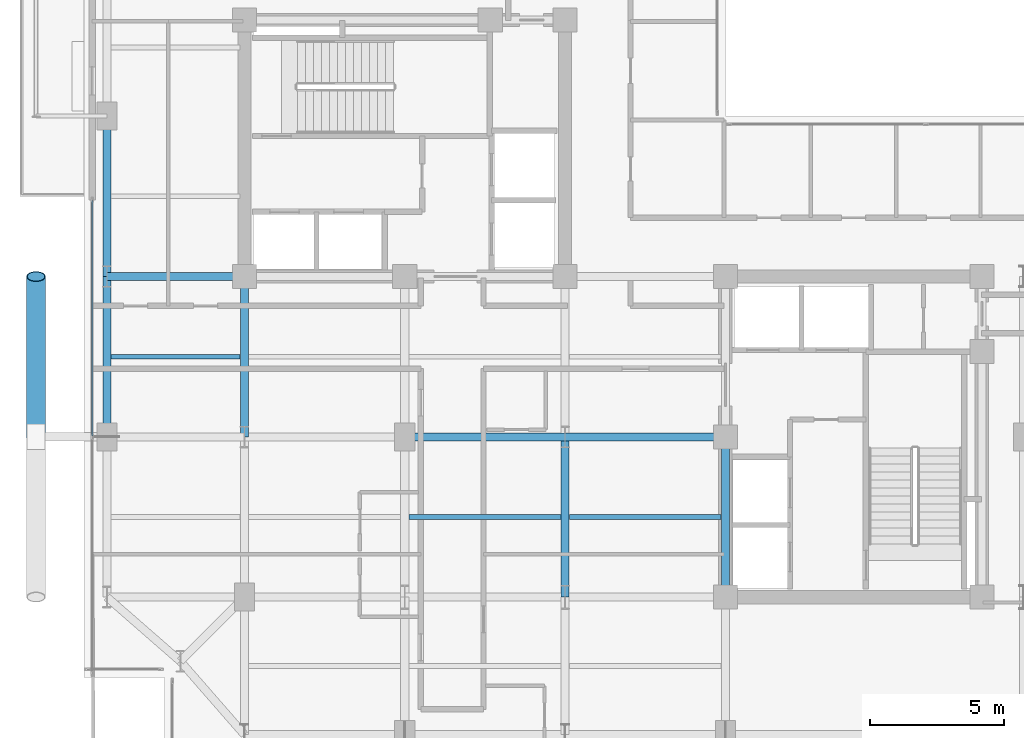
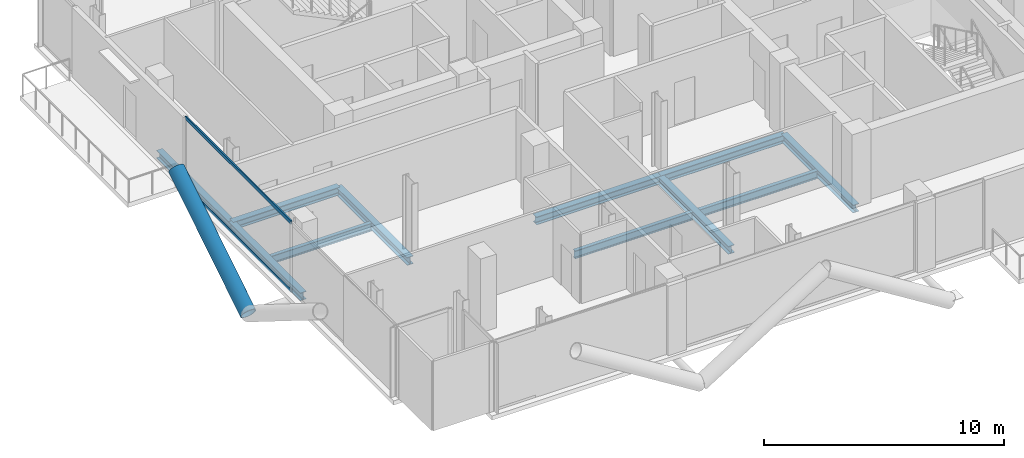
# One storey, part 6 of 25: 11 beams, 3 members, 1 element without a shape of its own.
"""IFC4 building model written with IfcOpenShell, lengths in metres."""

from ifc_helpers import new_model, si_unit, direction, frame, origin, origin_2d, place, context, subcontext, project, spatial, hollow_rectangle, hollow_circle, i_section, extrude, material, layer, layer_set, material_profile, profile_set, type_object, element, aggregate, save


model = new_model("IFC4")

# Units and contexts
model_context = context("Model", 3, precision=1e-05, world=origin(), true_north=direction((0.0, 1.0)))
body_context = subcontext(model_context, "Body", "Model", "MODEL_VIEW")
ifc_project = project(units=[si_unit("LENGTHUNIT", "METRE"), si_unit("AREAUNIT", "SQUARE_METRE"), si_unit("VOLUMEUNIT", "CUBIC_METRE"), si_unit("PLANEANGLEUNIT", "RADIAN"), si_unit("MASSUNIT", "GRAM", prefix="KILO"), si_unit("THERMODYNAMICTEMPERATUREUNIT", "KELVIN"), si_unit("POWERUNIT", "WATT")], contexts=[model_context])

# Site, building, storey
site_placement = place(None, origin())
site = spatial("IfcSite", under=ifc_project, at=site_placement, CompositionType="ELEMENT")
building_placement = place(site_placement, origin())
building = spatial("IfcBuilding", under=site, at=building_placement, Name="Svarakhadi Broadcast Tower", CompositionType="ELEMENT")
storey_placement = place(building_placement, frame((0.0, 0.0, 216.14990234375)))
storey = spatial("IfcBuildingStorey", under=building, at=storey_placement, Name="L53", CompositionType="ELEMENT", Elevation=216.14990234375)

# Beams
ifc_material_1 = material(Name="Steel S355J2 (IS 2062 E350C)", Category="steel")
ifc_material_profile_1 = material_profile(ifc_material_1, i_section(OverallWidth=0.179931640625, OverallDepth=0.39990234375, WebThickness=0.008544921875, FlangeThickness=0.013427734375, FilletRadius=0.02099609375, at=origin_2d()), Name="NPB 400x180x66")
ifc_profile_set_1 = profile_set([ifc_material_profile_1], Name="Steel S355J2 (IS 2062 E350C)")
beam_type_1 = type_object("IfcBeamType", Name="Beam_NPB400", PredefinedType="BEAM", material=ifc_profile_set_1)
beam_1_placement = place(storey_placement, frame((1.010009765625, 15.0, -0.409912109375), z_axis=(1.0, 0.0, 0.0), x_axis=(0.0, 1.0, 0.0)))
element("IfcBeam", 1, at=beam_1_placement, inside=storey, type_object=beam_type_1, Name="L53 Secondary Composite Beam SB002", PredefinedType="BEAM", context=body_context, shape_type="SweptSolid", body=[
    extrude(i_section(OverallWidth=0.179931640625, OverallDepth=0.39990234375, WebThickness=0.008544921875, FlangeThickness=0.013427734375, FilletRadius=0.02099609375, at=origin_2d()), origin(), (0.0, 0.0, 1.0), 4.830078125),
])
for number, where, z_axis, x_axis, name in (
    (2, (12.159912109375, 9.0, -0.409912109375), (1.0, 0.0, 0.0), (0.0, 1.0, 0.0), "L53 Secondary Composite Beam SB010"),
    (3, (18.159912109375, 9.0, -0.409912109375), (1.0, 0.0, 0.0), (0.0, 1.0, 0.0), "L53 Secondary Composite Beam SB014"),
):
    element("IfcBeam", number, at=place(storey_placement, frame(where, z_axis=z_axis, x_axis=x_axis)), inside=storey, type_object=beam_type_1, Name=name, PredefinedType="BEAM", context=body_context, shape_type="SweptSolid", body=[
        extrude(i_section(OverallWidth=0.179931640625, OverallDepth=0.39990234375, WebThickness=0.008544921875, FlangeThickness=0.013427734375, FilletRadius=0.02099609375, at=origin_2d()), origin(), (0.0, 0.0, 1.0), 5.68017578125),
    ])

# Curtain wall, members
ifc_material_2 = material(Name="Anodised Bronze Aluminium AA 6063-T6", Category="aluminium")
ifc_layer = layer(ifc_material_2, 0.18994140625)
ifc_layer_set = layer_set([ifc_layer], Name="Anodised Bronze Aluminium AA 6063-T6")
curtain_wall_type = type_object("IfcCurtainWallType", Name="CW_Sys_04", PredefinedType="NOTDEFINED", material=ifc_layer_set)
curtain_wall_placement = place(storey_placement, origin())
curtain_wall = element("IfcCurtainWall", 4, at=curtain_wall_placement, inside=storey, type_object=curtain_wall_type, Name="L53 West Curtain Wall 02", PredefinedType="NOTDEFINED")
ifc_material_profile_2 = material_profile(ifc_material_2, hollow_rectangle(XDim=0.06494140625, YDim=0.175048828125, WallThickness=0.0048828125, at=origin_2d()), Name="ALU TRANSOM 175x65x5")
ifc_profile_set_2 = profile_set([ifc_material_profile_2], Name="Anodised Bronze Aluminium AA 6063-T6")
member_type_1 = type_object("IfcMemberType", Name="CW_Sys_04_Trn", PredefinedType="USERDEFINED", material=ifc_profile_set_2)
member_1_placement = place(storey_placement, frame((0.300048828125, 12.034912109375, 0.03271484375), z_axis=(0.0, 1.0, 0.0), x_axis=(-1.0, 0.0, 0.0)))
member_1 = element("IfcMember", 5, at=member_1_placement, type_object=member_type_1, Name="CW-04 transom 2.1", ObjectType="TRANSOM", PredefinedType="USERDEFINED", context=body_context, shape_type="SweptSolid", body=[
    extrude(hollow_rectangle(XDim=0.06494140625, YDim=0.175048828125, WallThickness=0.0048828125, at=origin_2d()), origin(), (0.0, 0.0, 1.0), 8.80517578125),
])
member_2_placement = place(storey_placement, frame((0.300048828125, 12.034912109375, 3.507568359375), z_axis=(0.0, 1.0, 0.0), x_axis=(-1.0, 0.0, 0.0)))
member_2 = element("IfcMember", 6, at=member_2_placement, type_object=member_type_1, Name="CW-04 transom 2.2", ObjectType="TRANSOM", PredefinedType="USERDEFINED", context=body_context, shape_type="SweptSolid", body=[
    extrude(hollow_rectangle(XDim=0.06494140625, YDim=0.175048828125, WallThickness=0.0048828125, at=origin_2d()), origin(), (0.0, 0.0, 1.0), 8.80517578125),
])
aggregate(curtain_wall, [member_1, member_2])

# Member
ifc_material_3 = material(Name="Steel S460ML (IS 2062 E450BR)", Category="steel")
ifc_material_profile_3 = material_profile(ifc_material_3, hollow_circle(Radius=0.35546875, WallThickness=0.034912109375, at=origin_2d()), Name="CHS 711x35")
ifc_profile_set_3 = profile_set([ifc_material_profile_3], Name="Steel S460ML (IS 2062 E450BR)")
member_type_2 = type_object("IfcMemberType", Name="Exo_Brace_CHS711", PredefinedType="BRACE", material=ifc_profile_set_3)
member_3_placement = place(storey_placement, frame((-1.800048828125, 12.0, -0.371826171875), z_axis=(0.0, 0.847998304005, 0.529998940003), x_axis=(-1.0, 0.0, 0.0)))
element("IfcMember", 7, at=member_3_placement, inside=storey, type_object=member_type_2, Name="L53 Exposed Bronze Exoskeleton Diagonal W05", PredefinedType="BRACE", context=body_context, shape_type="SweptSolid", body=[
    extrude(hollow_circle(Radius=0.35546875, WallThickness=0.034912109375, at=origin_2d()), origin(), (0.0, 0.0, 1.0), 7.075439453125),
])

# Beams
ifc_material_profile_4 = material_profile(ifc_material_1, i_section(OverallWidth=0.300048828125, OverallDepth=0.39990234375, WebThickness=0.013427734375, FlangeThickness=0.02392578125, FilletRadius=0.027099609375, at=origin_2d()), Name="WPB 400x300x155")
ifc_profile_set_4 = profile_set([ifc_material_profile_4], Name="Steel S355J2 (IS 2062 E350C)")
beam_type_2 = type_object("IfcBeamType", Name="Girder_WPB400", PredefinedType="USERDEFINED", material=ifc_profile_set_4)
for number, where, z_axis, x_axis, name in (
    (8, (12.0, 12.0, -0.409912109375), (1.0, 0.0, 0.0), (0.0, 1.0, 0.0), "L53 Primary E-W Girder G017"),
    (9, (18.0, 12.0, -0.409912109375), (1.0, 0.0, 0.0), (0.0, 1.0, 0.0), "L53 Primary E-W Girder G018"),
):
    element("IfcBeam", number, at=place(storey_placement, frame(where, z_axis=z_axis, x_axis=x_axis)), inside=storey, type_object=beam_type_2, Name=name, ObjectType="GIRDER", PredefinedType="USERDEFINED", context=body_context, shape_type="SweptSolid", body=[
        extrude(i_section(OverallWidth=0.300048828125, OverallDepth=0.39990234375, WebThickness=0.013427734375, FlangeThickness=0.02392578125, FilletRadius=0.027099609375, at=origin_2d()), origin(), (0.0, 0.0, 1.0), 6.0),
    ])
beam_2_placement = place(storey_placement, frame((0.85009765625, 18.0, -0.409912109375), z_axis=(1.0, 0.0, 0.0), x_axis=(0.0, 1.0, 0.0)))
element("IfcBeam", 10, at=beam_2_placement, inside=storey, type_object=beam_type_2, Name="L53 Primary E-W Girder G020", ObjectType="GIRDER", PredefinedType="USERDEFINED", context=body_context, shape_type="SweptSolid", body=[
    extrude(i_section(OverallWidth=0.300048828125, OverallDepth=0.39990234375, WebThickness=0.013427734375, FlangeThickness=0.02392578125, FilletRadius=0.027099609375, at=origin_2d()), origin(), (0.0, 0.0, 1.0), 5.14990234375),
])
for number, where, z_axis, x_axis, name in (
    (11, (0.85009765625, 12.0, -0.409912109375), (0.0, 1.0, 0.0), (-1.0, 0.0, 0.0), "L53 Primary N-S Girder G034"),
    (12, (0.85009765625, 18.0, -0.409912109375), (0.0, 1.0, 0.0), (-1.0, 0.0, 0.0), "L53 Primary N-S Girder G035"),
    (13, (6.0, 12.0, -0.409912109375), (0.0, 1.0, 0.0), (-1.0, 0.0, 0.0), "L53 Primary N-S Girder G039"),
    (14, (18.0, 6.0, -0.409912109375), (0.0, 1.0, 0.0), (-1.0, 0.0, 0.0), "L53 Primary N-S Girder G047"),
    (15, (24.0, 6.0, -0.409912109375), (0.0, 1.0, 0.0), (-1.0, 0.0, 0.0), "L53 Primary N-S Girder G052"),
):
    element("IfcBeam", number, at=place(storey_placement, frame(where, z_axis=z_axis, x_axis=x_axis)), inside=storey, type_object=beam_type_2, Name=name, ObjectType="GIRDER", PredefinedType="USERDEFINED", context=body_context, shape_type="SweptSolid", body=[
        extrude(i_section(OverallWidth=0.300048828125, OverallDepth=0.39990234375, WebThickness=0.013427734375, FlangeThickness=0.02392578125, FilletRadius=0.027099609375, at=origin_2d()), origin(), (0.0, 0.0, 1.0), 6.0),
    ])

save(model, "model.ifc")
